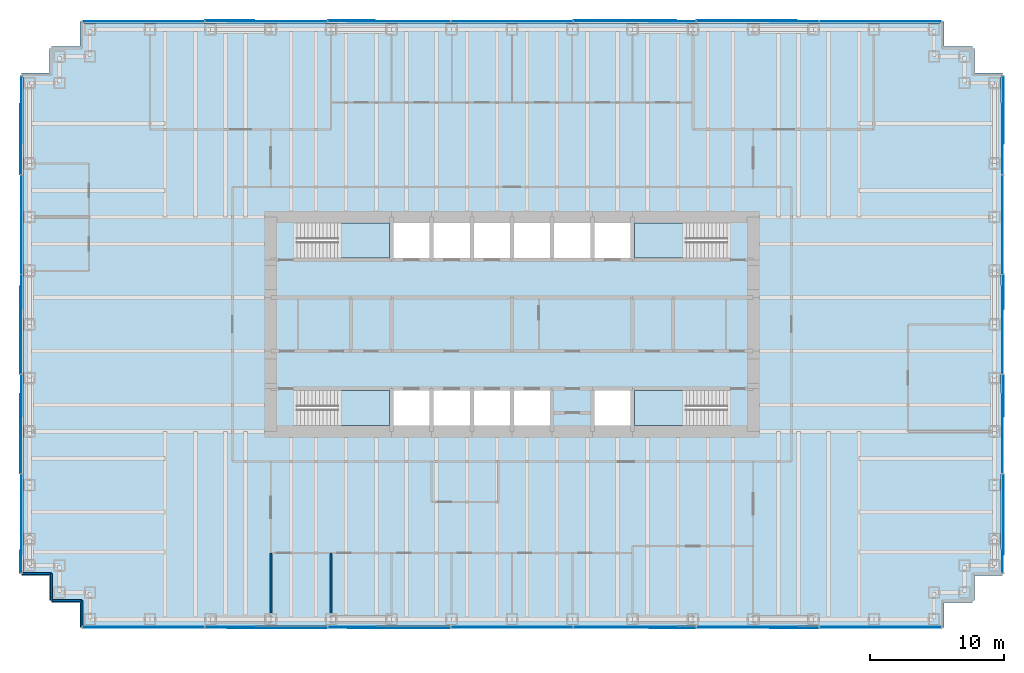
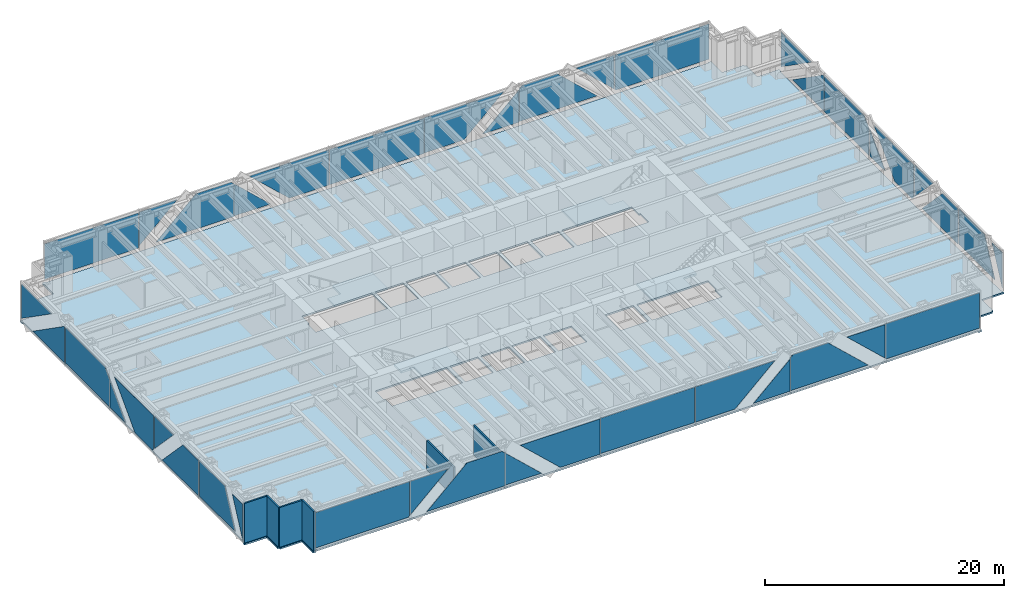
# One storey, part 10 of 15: 40 plates, 6 walls, 5 slabs, 8 elements without a shape of their own.
"""IFC4 building model written with IfcOpenShell, lengths in metres."""

from ifc_helpers import new_model, si_unit, direction, frame, frame_2d, origin, origin_2d, place, context, subcontext, project, spatial, polyline, rectangle, outline, extrude, material, layer, layer_set, type_object, element, aggregate, save


model = new_model("IFC4")

# Units and contexts
model_context = context("Model", 3, precision=1e-05, world=origin(), true_north=direction((0.0, 1.0)))
body_context = subcontext(model_context, "Body", "Model", "MODEL_VIEW")
ifc_project = project(units=[si_unit("LENGTHUNIT", "METRE"), si_unit("AREAUNIT", "SQUARE_METRE"), si_unit("VOLUMEUNIT", "CUBIC_METRE"), si_unit("PLANEANGLEUNIT", "RADIAN"), si_unit("MASSUNIT", "GRAM", prefix="KILO")], contexts=[model_context])

# Site, building, storey
site_placement = place(None, origin())
site = spatial("IfcSite", under=ifc_project, at=site_placement, CompositionType="ELEMENT")
building_placement = place(site_placement, origin())
building = spatial("IfcBuilding", under=site, at=building_placement, Name="Rheinbord Bourse Tower", CompositionType="ELEMENT")
storey_placement = place(building_placement, frame((0.0, 0.0, 104.699951171875)))
storey = spatial("IfcBuildingStorey", under=building, at=storey_placement, Name="L22", CompositionType="ELEMENT", Elevation=104.699951171875)

# Slab
ifc_material_1 = material(Name="Concrete C30/37", Category="concrete")
ifc_layer_1 = layer(ifc_material_1, 0.159912109375)
ifc_layer_set_1 = layer_set([ifc_layer_1], Name="COMPOSITE FLOOR SLAB 160")
slab_type_1 = type_object("IfcSlabType", Name="COMPOSITE FLOOR SLAB 160", PredefinedType="FLOOR", material=ifc_layer_set_1)
slab_1_placement = place(storey_placement, frame((0.0, 0.0, -0.159912109375)))
element("IfcSlab", 1, at=slab_1_placement, inside=storey, type_object=slab_type_1, Name="Floor slab L22", PredefinedType="FLOOR", context=body_context, shape_type="SweptSolid", body=[
    extrude(outline(polyline([(1.64990234375, 3.39990234375), (1.5, 3.39990234375), (1.5, 5.25), (-0.60009765625, 5.25), (-0.60009765625, 5.550048828125), (-0.5, 5.550048828125), (-0.5, 42.449951171875), (-0.60009765625, 42.449951171875), (-0.60009765625, 42.75), (1.5, 42.75), (1.5, 44.60009765625), (1.64990234375, 44.60009765625), (1.64990234375, 44.75), (3.75, 44.75), (3.75, 46.60009765625), (4.050048828125, 46.60009765625), (4.050048828125, 46.5), (67.949951171875, 46.5), (67.949951171875, 46.60009765625), (68.25, 46.60009765625), (68.25, 44.75), (70.35009765625, 44.75), (70.35009765625, 44.60009765625), (70.5, 44.60009765625), (70.5, 42.75), (72.60009765625, 42.75), (72.60009765625, 42.449951171875), (72.5, 42.449951171875), (72.5, 5.550048828125), (72.60009765625, 5.550048828125), (72.60009765625, 5.25), (70.5, 5.25), (70.5, 3.39990234375), (70.35009765625, 3.39990234375), (70.35009765625, 3.25), (68.25, 3.25), (68.25, 1.39990234375), (67.949951171875, 1.39990234375), (67.949951171875, 1.5), (4.050048828125, 1.5), (4.050048828125, 1.39990234375), (3.75, 1.39990234375), (3.75, 3.25), (1.64990234375, 3.25), (1.64990234375, 3.39990234375)]), holes=[polyline([(19.949951171875, 19.050048828125), (26.85009765625, 19.050048828125), (26.85009765625, 16.449951171875), (20.10009765625, 16.449951171875), (20.10009765625, 17.64990234375), (19.949951171875, 17.64990234375), (19.949951171875, 19.050048828125)]), polyline([(26.85009765625, 31.550048828125), (26.85009765625, 28.949951171875), (19.949951171875, 28.949951171875), (19.949951171875, 30.35009765625), (20.10009765625, 30.35009765625), (20.10009765625, 31.550048828125), (26.85009765625, 31.550048828125)]), polyline([(45.14990234375, 16.449951171875), (45.14990234375, 19.050048828125), (52.050048828125, 19.050048828125), (52.050048828125, 17.64990234375), (51.89990234375, 17.64990234375), (51.89990234375, 16.449951171875), (45.14990234375, 16.449951171875)]), polyline([(52.050048828125, 28.949951171875), (45.14990234375, 28.949951171875), (45.14990234375, 31.550048828125), (51.89990234375, 31.550048828125), (51.89990234375, 30.35009765625), (52.050048828125, 30.35009765625), (52.050048828125, 28.949951171875)]), polyline([(27.14990234375, 16.449951171875), (27.14990234375, 19.050048828125), (29.85009765625, 19.050048828125), (29.85009765625, 16.449951171875), (27.14990234375, 16.449951171875)]), polyline([(27.14990234375, 28.949951171875), (27.14990234375, 31.550048828125), (29.85009765625, 31.550048828125), (29.85009765625, 28.949951171875), (27.14990234375, 28.949951171875)]), polyline([(30.14990234375, 16.449951171875), (30.14990234375, 19.050048828125), (32.85009765625, 19.050048828125), (32.85009765625, 16.449951171875), (30.14990234375, 16.449951171875)]), polyline([(30.14990234375, 28.949951171875), (30.14990234375, 31.550048828125), (32.85009765625, 31.550048828125), (32.85009765625, 28.949951171875), (30.14990234375, 28.949951171875)]), polyline([(33.14990234375, 16.449951171875), (33.14990234375, 19.050048828125), (35.85009765625, 19.050048828125), (35.85009765625, 16.449951171875), (33.14990234375, 16.449951171875)]), polyline([(33.14990234375, 28.949951171875), (33.14990234375, 31.550048828125), (35.85009765625, 31.550048828125), (35.85009765625, 28.949951171875), (33.14990234375, 28.949951171875)]), polyline([(36.14990234375, 16.449951171875), (36.14990234375, 19.050048828125), (38.85009765625, 19.050048828125), (38.85009765625, 16.449951171875), (36.14990234375, 16.449951171875)]), polyline([(36.14990234375, 28.949951171875), (36.14990234375, 31.550048828125), (38.85009765625, 31.550048828125), (38.85009765625, 28.949951171875), (36.14990234375, 28.949951171875)]), polyline([(39.14990234375, 28.949951171875), (39.14990234375, 31.550048828125), (41.85009765625, 31.550048828125), (41.85009765625, 28.949951171875), (39.14990234375, 28.949951171875)]), polyline([(42.14990234375, 16.449951171875), (42.14990234375, 19.050048828125), (44.85009765625, 19.050048828125), (44.85009765625, 16.449951171875), (42.14990234375, 16.449951171875)]), polyline([(42.14990234375, 28.949951171875), (42.14990234375, 31.550048828125), (44.85009765625, 31.550048828125), (44.85009765625, 28.949951171875), (42.14990234375, 28.949951171875)])]), origin(), (0.0, 0.0, 1.0), 0.159912109375),
])

# Curtain wall, plates
ifc_material_2 = material(Name="Dark glass and black aluminium", Category="aluminium")
curtain_wall_type = type_object("IfcCurtainWallType", Name="CW2 DARK GLASS CURTAIN WALL", PredefinedType="USERDEFINED", material=ifc_material_2)
curtain_wall_1_placement = place(storey_placement, origin())
curtain_wall_1 = element("IfcCurtainWall", 2, at=curtain_wall_1_placement, inside=storey, type_object=curtain_wall_type, Name="Curtain wall CW2 S L22", ObjectType="UNITISED CURTAIN WALL", PredefinedType="USERDEFINED")
ifc_material_3 = material(Name="Dark tinted triple insulating glass", Category="glass")
ifc_layer_2 = layer(ifc_material_3, 0.050048828125)
ifc_layer_set_2 = layer_set([ifc_layer_2], Name="CW2 DARK GLASS PANEL")
plate_type = type_object("IfcPlateType", Name="CW2 DARK GLASS PANEL", PredefinedType="CURTAIN_PANEL", material=ifc_layer_set_2)
plate_1_placement = place(storey_placement, frame((36.0, 1.39990234375, 0.300048828125), z_axis=(0.0, 0.0, 1.0), x_axis=(1.0, 0.0, 0.0)))
plate_1 = element("IfcPlate", 3, at=plate_1_placement, type_object=plate_type, Name="CW2 panel 4.1", PredefinedType="CURTAIN_PANEL", context=body_context, shape_type="SweptSolid", body=[
    extrude(rectangle(XDim=9.101318359375, YDim=0.050048828125, at=origin_2d()), origin(), (0.0, 0.0, 1.0), 3.60009765625),
])
plate_2_placement = place(storey_placement, frame((3.969970703125, 1.375, 0.300048828125), z_axis=(0.0, 1.0, 0.0), x_axis=(0.0, 0.0, 1.0)))
plate_2 = element("IfcPlate", 4, at=plate_2_placement, type_object=plate_type, Name="CW2 glass facet 1", PredefinedType="CURTAIN_PANEL", context=body_context, shape_type="SweptSolid", body=[
    extrude(outline(polyline([(0.0, 0.0), (3.60009765625, 0.0), (3.60009765625, 9.06591796875), (0.094970703125, 9.06591796875), (0.0, 8.965087890625), (0.0, 0.0)])), origin(), (0.0, 0.0, 1.0), 0.050048828125),
])
plate_3_placement = place(storey_placement, frame((13.10595703125, 1.375, 3.900146484375), z_axis=(0.0, 1.0, 0.0), x_axis=(1.0, 0.0, 0.0)))
plate_3 = element("IfcPlate", 5, at=plate_3_placement, type_object=plate_type, Name="CW2 glass facet 1", PredefinedType="CURTAIN_PANEL", context=body_context, shape_type="SweptSolid", body=[
    extrude(outline(polyline([(0.0, 0.0), (3.68603515625, 0.0), (0.0, 3.440185546875), (0.0, 0.0)])), origin(), (0.0, 0.0, 1.0), 0.050048828125),
])
plate_4_placement = place(storey_placement, frame((22.2080078125, 1.31982421875, 0.300048828125), z_axis=(0.0, 1.0, 0.0), x_axis=(-1.0, 0.0, 0.0)))
plate_4 = element("IfcPlate", 6, at=plate_4_placement, type_object=plate_type, Name="CW2 glass facet 2", PredefinedType="CURTAIN_PANEL", context=body_context, shape_type="SweptSolid", body=[
    extrude(outline(polyline([(0.0, 0.0), (7.5, 0.0), (3.64306640625, 3.60009765625), (0.27294921875, 3.60009765625), (0.0, 3.344970703125), (0.0, 0.0)])), origin(), (0.0, 0.0, 1.0), 0.050048828125),
])
plate_5_placement = place(storey_placement, frame((22.278076171875, 1.375, 0.300048828125), z_axis=(0.0, 1.0, 0.0), x_axis=(0.0, 0.0, 1.0)))
plate_5 = element("IfcPlate", 7, at=plate_5_placement, type_object=plate_type, Name="CW2 glass facet 1", PredefinedType="CURTAIN_PANEL", context=body_context, shape_type="SweptSolid", body=[
    extrude(outline(polyline([(0.0, 0.0), (3.280029296875, 0.0), (0.0, 3.513916015625), (0.0, 0.0)])), origin(), (0.0, 0.0, 1.0), 0.050048828125),
])
plate_6_placement = place(storey_placement, frame((31.37890625, 1.31982421875, 3.900146484375), z_axis=(0.0, 1.0, 0.0), x_axis=(0.0, 0.0, -1.0)))
plate_6 = element("IfcPlate", 8, at=plate_6_placement, type_object=plate_type, Name="CW2 glass facet 2", PredefinedType="CURTAIN_PANEL", context=body_context, shape_type="SweptSolid", body=[
    extrude(outline(polyline([(0.0, 0.0), (3.60009765625, 0.0), (3.60009765625, 3.81396484375), (0.0, 7.6708984375), (0.0, 0.0)])), origin(), (0.0, 0.0, 1.0), 0.050048828125),
])
plate_7_placement = place(storey_placement, frame((40.62109375, 1.375, 0.300048828125), z_axis=(0.0, 1.0, 0.0), x_axis=(0.0, 0.0, 1.0)))
plate_7 = element("IfcPlate", 9, at=plate_7_placement, type_object=plate_type, Name="CW2 glass facet 1", PredefinedType="CURTAIN_PANEL", context=body_context, shape_type="SweptSolid", body=[
    extrude(outline(polyline([(0.0, 0.0), (3.60009765625, 0.0), (3.60009765625, 7.6708984375), (0.0, 3.81396484375), (0.0, 0.0)])), origin(), (0.0, 0.0, 1.0), 0.050048828125),
])
plate_8_placement = place(storey_placement, frame((49.721923828125, 1.31982421875, 0.300048828125), z_axis=(0.0, 1.0, 0.0), x_axis=(-1.0, 0.0, 0.0)))
plate_8 = element("IfcPlate", 10, at=plate_8_placement, type_object=plate_type, Name="CW2 glass facet 2", PredefinedType="CURTAIN_PANEL", context=body_context, shape_type="SweptSolid", body=[
    extrude(outline(polyline([(0.0, 0.0), (3.513916015625, 0.0), (0.0, 3.280029296875), (0.0, 0.0)])), origin(), (0.0, 0.0, 1.0), 0.050048828125),
])
plate_9_placement = place(storey_placement, frame((49.7919921875, 1.375, 0.300048828125), z_axis=(0.0, 1.0, 0.0), x_axis=(0.0, 0.0, 1.0)))
plate_9 = element("IfcPlate", 11, at=plate_9_placement, type_object=plate_type, Name="CW2 glass facet 1", PredefinedType="CURTAIN_PANEL", context=body_context, shape_type="SweptSolid", body=[
    extrude(outline(polyline([(0.0, 0.0), (3.344970703125, 0.0), (3.60009765625, 0.27294921875), (3.60009765625, 3.64306640625), (0.0, 7.5), (0.0, 0.0)])), origin(), (0.0, 0.0, 1.0), 0.050048828125),
])
plate_10_placement = place(storey_placement, frame((58.89404296875, 1.31982421875, 3.900146484375), z_axis=(0.0, 1.0, 0.0), x_axis=(0.0, 0.0, -1.0)))
plate_10 = element("IfcPlate", 12, at=plate_10_placement, type_object=plate_type, Name="CW2 glass facet 2", PredefinedType="CURTAIN_PANEL", context=body_context, shape_type="SweptSolid", body=[
    extrude(outline(polyline([(0.0, 0.0), (3.440185546875, 0.0), (0.0, 3.68603515625), (0.0, 0.0)])), origin(), (0.0, 0.0, 1.0), 0.050048828125),
])
plate_11_placement = place(storey_placement, frame((58.964111328125, 1.375, 3.900146484375), z_axis=(0.0, 1.0, 0.0), x_axis=(1.0, 0.0, 0.0)))
plate_11 = element("IfcPlate", 13, at=plate_11_placement, type_object=plate_type, Name="CW2 glass facet 1", PredefinedType="CURTAIN_PANEL", context=body_context, shape_type="SweptSolid", body=[
    extrude(outline(polyline([(0.0, 0.0), (9.06591796875, 0.0), (9.06591796875, 3.60009765625), (0.100830078125, 3.60009765625), (0.0, 3.505126953125), (0.0, 0.0)])), origin(), (0.0, 0.0, 1.0), 0.050048828125),
])
aggregate(curtain_wall_1, [plate_1, plate_2, plate_3, plate_4, plate_5, plate_6, plate_7, plate_8, plate_9, plate_10, plate_11])

curtain_wall_2_placement = place(storey_placement, origin())
curtain_wall_2 = element("IfcCurtainWall", 14, at=curtain_wall_2_placement, inside=storey, type_object=curtain_wall_type, Name="Curtain wall CW2 E L22", ObjectType="UNITISED CURTAIN WALL", PredefinedType="USERDEFINED")
plate_12_placement = place(storey_placement, frame((72.625, 5.469970703125, 0.300048828125), z_axis=(-1.0, 0.0, 0.0), x_axis=(0.0, 0.0, 1.0)))
plate_12 = element("IfcPlate", 15, at=plate_12_placement, type_object=plate_type, Name="CW2 glass facet 1", PredefinedType="CURTAIN_PANEL", context=body_context, shape_type="SweptSolid", body=[
    extrude(outline(polyline([(0.0, 0.0), (3.60009765625, 0.0), (3.60009765625, 1.717041015625), (0.0, 0.0029296875), (0.0, 0.0)])), origin(), (0.0, 0.0, 1.0), 0.050048828125),
])
plate_13_placement = place(storey_placement, frame((72.68017578125, 12.804931640625, 3.900146484375), z_axis=(-1.0, 0.0, 0.0), x_axis=(0.0, 0.0, -1.0)))
plate_13 = element("IfcPlate", 16, at=plate_13_placement, type_object=plate_type, Name="CW2 glass facet 2", PredefinedType="CURTAIN_PANEL", context=body_context, shape_type="SweptSolid", body=[
    extrude(outline(polyline([(0.0, 0.0), (3.60009765625, 0.0), (3.60009765625, 5.991943359375), (0.0, 4.27783203125), (0.0, 0.0)])), origin(), (0.0, 0.0, 1.0), 0.050048828125),
])
plate_14_placement = place(storey_placement, frame((72.625, 12.875, 0.300048828125), z_axis=(-1.0, 0.0, 0.0), x_axis=(0.0, 0.0, 1.0)))
plate_14 = element("IfcPlate", 17, at=plate_14_placement, type_object=plate_type, Name="CW2 glass facet 1", PredefinedType="CURTAIN_PANEL", context=body_context, shape_type="SweptSolid", body=[
    extrude(outline(polyline([(0.0, 0.0), (3.60009765625, 0.0), (3.60009765625, 2.574951171875), (0.0, 6.00390625), (0.0, 0.0)])), origin(), (0.0, 0.0, 1.0), 0.050048828125),
])
plate_15_placement = place(storey_placement, frame((72.68017578125, 20.2451171875, 3.900146484375), z_axis=(-1.0, 0.0, 0.0), x_axis=(0.0, 0.0, -1.0)))
plate_15 = element("IfcPlate", 18, at=plate_15_placement, type_object=plate_type, Name="CW2 glass facet 2", PredefinedType="CURTAIN_PANEL", context=body_context, shape_type="SweptSolid", body=[
    extrude(outline(polyline([(0.0, 0.0), (3.280029296875, 0.0), (0.0, 3.1240234375), (0.0, 0.0)])), origin(), (0.0, 0.0, 1.0), 0.050048828125),
])
plate_16_placement = place(storey_placement, frame((72.625, 20.550048828125, 0.300048828125), z_axis=(-1.0, 0.0, 0.0), x_axis=(0.0, -0.690782776575, 0.723062345574)))
plate_16 = element("IfcPlate", 19, at=plate_16_placement, type_object=plate_type, Name="CW2 glass facet 1", PredefinedType="CURTAIN_PANEL", context=body_context, shape_type="SweptSolid", body=[
    extrude(outline(polyline([(0.0, 0.0), (0.34033203125, 0.0), (2.765625, 2.31689453125), (-1.768798828125, 7.06298828125), (-2.003173828125, 2.096923828125), (0.0, 0.0)])), origin(), (0.0, 0.0, 1.0), 0.050048828125),
])
plate_17_placement = place(storey_placement, frame((72.68017578125, 27.68505859375, 0.300048828125), z_axis=(-1.0, 0.0, 0.0), x_axis=(0.0, -1.0, 0.0)))
plate_17 = element("IfcPlate", 20, at=plate_17_placement, type_object=plate_type, Name="CW2 glass facet 2", PredefinedType="CURTAIN_PANEL", context=body_context, shape_type="SweptSolid", body=[
    extrude(outline(polyline([(0.0, 0.0), (2.56396484375, 0.0), (0.0, 2.69189453125), (0.0, 0.0)])), origin(), (0.0, 0.0, 1.0), 0.050048828125),
])
plate_18_placement = place(storey_placement, frame((72.625, 35.125, 3.900146484375), z_axis=(-1.0, 0.0, 0.0), x_axis=(0.0, 0.0, -1.0)))
plate_18 = element("IfcPlate", 21, at=plate_18_placement, type_object=plate_type, Name="CW2 glass facet 1", PredefinedType="CURTAIN_PANEL", context=body_context, shape_type="SweptSolid", body=[
    extrude(outline(polyline([(0.0, 0.0), (3.60009765625, 0.0), (3.60009765625, 7.3701171875), (0.833984375, 7.3701171875), (0.0, 6.574951171875), (0.0, 0.0)])), origin(), (0.0, 0.0, 1.0), 0.050048828125),
])
plate_19_placement = place(storey_placement, frame((72.625, 35.195068359375, 0.300048828125), z_axis=(-1.0, 0.0, 0.0), x_axis=(0.0, 0.0, 1.0)))
plate_19 = element("IfcPlate", 22, at=plate_19_placement, type_object=plate_type, Name="CW2 glass facet 1", PredefinedType="CURTAIN_PANEL", context=body_context, shape_type="SweptSolid", body=[
    extrude(outline(polyline([(0.0, 0.0), (3.60009765625, 0.0), (3.60009765625, 0.178955078125), (0.0, 5.321044921875), (0.0, 0.0)])), origin(), (0.0, 0.0, 1.0), 0.050048828125),
])
plate_20_placement = place(storey_placement, frame((72.68017578125, 42.530029296875, 3.900146484375), z_axis=(-1.0, 0.0, 0.0), x_axis=(0.0, 0.0, -1.0)))
plate_20 = element("IfcPlate", 23, at=plate_20_placement, type_object=plate_type, Name="CW2 glass facet 2", PredefinedType="CURTAIN_PANEL", context=body_context, shape_type="SweptSolid", body=[
    extrude(outline(polyline([(0.0, 0.0), (3.533203125, 0.0), (0.0, 5.046142578125), (0.0, 0.0)])), origin(), (0.0, 0.0, 1.0), 0.050048828125),
])
aggregate(curtain_wall_2, [plate_12, plate_13, plate_14, plate_15, plate_16, plate_17, plate_18, plate_19, plate_20])

curtain_wall_3_placement = place(storey_placement, origin())
curtain_wall_3 = element("IfcCurtainWall", 24, at=curtain_wall_3_placement, inside=storey, type_object=curtain_wall_type, Name="Curtain wall CW2 N L22", ObjectType="UNITISED CURTAIN WALL", PredefinedType="USERDEFINED")
plate_21_placement = place(storey_placement, frame((36.0, 46.60009765625, 0.300048828125), z_axis=(0.0, 0.0, 1.0), x_axis=(-1.0, 0.0, 0.0)))
plate_21 = element("IfcPlate", 25, at=plate_21_placement, type_object=plate_type, Name="CW2 panel 4.1", PredefinedType="CURTAIN_PANEL", context=body_context, shape_type="SweptSolid", body=[
    extrude(rectangle(XDim=9.101318359375, YDim=0.050048828125, at=origin_2d()), origin(), (0.0, 0.0, 1.0), 3.60009765625),
])
plate_22_placement = place(storey_placement, frame((68.030029296875, 46.625, 0.300048828125), z_axis=(0.0, -1.0, 0.0), x_axis=(0.0, 0.0, 1.0)))
plate_22 = element("IfcPlate", 26, at=plate_22_placement, type_object=plate_type, Name="CW2 glass facet 1", PredefinedType="CURTAIN_PANEL", context=body_context, shape_type="SweptSolid", body=[
    extrude(outline(polyline([(0.0, 0.0), (3.60009765625, 0.0), (3.60009765625, 9.06591796875), (0.094970703125, 9.06591796875), (0.0, 8.965087890625), (0.0, 0.0)])), origin(), (0.0, 0.0, 1.0), 0.050048828125),
])
plate_23_placement = place(storey_placement, frame((58.89404296875, 46.625, 3.900146484375), z_axis=(0.0, -1.0, 0.0), x_axis=(-1.0, 0.0, 0.0)))
plate_23 = element("IfcPlate", 27, at=plate_23_placement, type_object=plate_type, Name="CW2 glass facet 1", PredefinedType="CURTAIN_PANEL", context=body_context, shape_type="SweptSolid", body=[
    extrude(outline(polyline([(0.0, 0.0), (3.68603515625, 0.0), (0.0, 3.440185546875), (0.0, 0.0)])), origin(), (0.0, 0.0, 1.0), 0.050048828125),
])
plate_24_placement = place(storey_placement, frame((49.7919921875, 46.68017578125, 0.300048828125), z_axis=(0.0, -1.0, 0.0), x_axis=(1.0, 0.0, 0.0)))
plate_24 = element("IfcPlate", 28, at=plate_24_placement, type_object=plate_type, Name="CW2 glass facet 2", PredefinedType="CURTAIN_PANEL", context=body_context, shape_type="SweptSolid", body=[
    extrude(outline(polyline([(0.0, 0.0), (7.5, 0.0), (3.64306640625, 3.60009765625), (0.27294921875, 3.60009765625), (0.0, 3.344970703125), (0.0, 0.0)])), origin(), (0.0, 0.0, 1.0), 0.050048828125),
])
plate_25_placement = place(storey_placement, frame((49.721923828125, 46.625, 0.300048828125), z_axis=(0.0, -1.0, 0.0), x_axis=(0.0, 0.0, 1.0)))
plate_25 = element("IfcPlate", 29, at=plate_25_placement, type_object=plate_type, Name="CW2 glass facet 1", PredefinedType="CURTAIN_PANEL", context=body_context, shape_type="SweptSolid", body=[
    extrude(outline(polyline([(0.0, 0.0), (3.280029296875, 0.0), (0.0, 3.513916015625), (0.0, 0.0)])), origin(), (0.0, 0.0, 1.0), 0.050048828125),
])
plate_26_placement = place(storey_placement, frame((40.62109375, 46.68017578125, 3.900146484375), z_axis=(0.0, -1.0, 0.0), x_axis=(0.0, 0.0, -1.0)))
plate_26 = element("IfcPlate", 30, at=plate_26_placement, type_object=plate_type, Name="CW2 glass facet 2", PredefinedType="CURTAIN_PANEL", context=body_context, shape_type="SweptSolid", body=[
    extrude(outline(polyline([(0.0, 0.0), (3.60009765625, 0.0), (3.60009765625, 3.81396484375), (0.0, 7.6708984375), (0.0, 0.0)])), origin(), (0.0, 0.0, 1.0), 0.050048828125),
])
plate_27_placement = place(storey_placement, frame((31.37890625, 46.625, 0.300048828125), z_axis=(0.0, -1.0, 0.0), x_axis=(0.0, 0.0, 1.0)))
plate_27 = element("IfcPlate", 31, at=plate_27_placement, type_object=plate_type, Name="CW2 glass facet 1", PredefinedType="CURTAIN_PANEL", context=body_context, shape_type="SweptSolid", body=[
    extrude(outline(polyline([(0.0, 0.0), (3.60009765625, 0.0), (3.60009765625, 7.6708984375), (0.0, 3.81396484375), (0.0, 0.0)])), origin(), (0.0, 0.0, 1.0), 0.050048828125),
])
plate_28_placement = place(storey_placement, frame((22.278076171875, 46.68017578125, 0.300048828125), z_axis=(0.0, -1.0, 0.0), x_axis=(1.0, 0.0, 0.0)))
plate_28 = element("IfcPlate", 32, at=plate_28_placement, type_object=plate_type, Name="CW2 glass facet 2", PredefinedType="CURTAIN_PANEL", context=body_context, shape_type="SweptSolid", body=[
    extrude(outline(polyline([(0.0, 0.0), (3.513916015625, 0.0), (0.0, 3.280029296875), (0.0, 0.0)])), origin(), (0.0, 0.0, 1.0), 0.050048828125),
])
plate_29_placement = place(storey_placement, frame((22.2080078125, 46.625, 0.300048828125), z_axis=(0.0, -1.0, 0.0), x_axis=(0.0, 0.0, 1.0)))
plate_29 = element("IfcPlate", 33, at=plate_29_placement, type_object=plate_type, Name="CW2 glass facet 1", PredefinedType="CURTAIN_PANEL", context=body_context, shape_type="SweptSolid", body=[
    extrude(outline(polyline([(0.0, 0.0), (3.344970703125, 0.0), (3.60009765625, 0.27294921875), (3.60009765625, 3.64306640625), (0.0, 7.5), (0.0, 0.0)])), origin(), (0.0, 0.0, 1.0), 0.050048828125),
])
plate_30_placement = place(storey_placement, frame((13.10595703125, 46.68017578125, 3.900146484375), z_axis=(0.0, -1.0, 0.0), x_axis=(0.0, 0.0, -1.0)))
plate_30 = element("IfcPlate", 34, at=plate_30_placement, type_object=plate_type, Name="CW2 glass facet 2", PredefinedType="CURTAIN_PANEL", context=body_context, shape_type="SweptSolid", body=[
    extrude(outline(polyline([(0.0, 0.0), (3.440185546875, 0.0), (0.0, 3.68603515625), (0.0, 0.0)])), origin(), (0.0, 0.0, 1.0), 0.050048828125),
])
plate_31_placement = place(storey_placement, frame((13.035888671875, 46.625, 3.900146484375), z_axis=(0.0, -1.0, 0.0), x_axis=(-1.0, 0.0, 0.0)))
plate_31 = element("IfcPlate", 35, at=plate_31_placement, type_object=plate_type, Name="CW2 glass facet 1", PredefinedType="CURTAIN_PANEL", context=body_context, shape_type="SweptSolid", body=[
    extrude(outline(polyline([(0.0, 0.0), (9.06591796875, 0.0), (9.06591796875, 3.60009765625), (0.100830078125, 3.60009765625), (0.0, 3.505126953125), (0.0, 0.0)])), origin(), (0.0, 0.0, 1.0), 0.050048828125),
])
aggregate(curtain_wall_3, [plate_21, plate_22, plate_23, plate_24, plate_25, plate_26, plate_27, plate_28, plate_29, plate_30, plate_31])

curtain_wall_4_placement = place(storey_placement, origin())
curtain_wall_4 = element("IfcCurtainWall", 36, at=curtain_wall_4_placement, inside=storey, type_object=curtain_wall_type, Name="Curtain wall CW2 W L22", ObjectType="UNITISED CURTAIN WALL", PredefinedType="USERDEFINED")
plate_32_placement = place(storey_placement, frame((-0.625, 42.530029296875, 3.900146484375), z_axis=(1.0, 0.0, 0.0), x_axis=(0.0, -1.0, 0.0)))
plate_32 = element("IfcPlate", 37, at=plate_32_placement, type_object=plate_type, Name="CW2 glass facet 1", PredefinedType="CURTAIN_PANEL", context=body_context, shape_type="SweptSolid", body=[
    extrude(outline(polyline([(0.0, 0.0), (5.046142578125, 0.0), (0.0, 3.533203125), (0.0, 0.0)])), origin(), (0.0, 0.0, 1.0), 0.050048828125),
])
plate_33_placement = place(storey_placement, frame((-0.68017578125, 35.195068359375, 3.900146484375), z_axis=(1.0, 0.0, 0.0), x_axis=(0.0, 0.0, -1.0)))
plate_33 = element("IfcPlate", 38, at=plate_33_placement, type_object=plate_type, Name="CW2 glass facet 2", PredefinedType="CURTAIN_PANEL", context=body_context, shape_type="SweptSolid", body=[
    extrude(outline(polyline([(0.0, 0.0), (3.60009765625, 0.0), (3.60009765625, 5.321044921875), (0.0, 0.178955078125), (0.0, 0.0)])), origin(), (0.0, 0.0, 1.0), 0.050048828125),
])
plate_34_placement = place(storey_placement, frame((-0.625, 27.7548828125, 0.300048828125), z_axis=(1.0, 0.0, 0.0), x_axis=(0.0, 1.0, 0.0)))
plate_34 = element("IfcPlate", 39, at=plate_34_placement, type_object=plate_type, Name="CW2 glass facet 1", PredefinedType="CURTAIN_PANEL", context=body_context, shape_type="SweptSolid", body=[
    extrude(outline(polyline([(0.0, 0.0), (7.3701171875, 0.0), (7.3701171875, 3.60009765625), (0.795166015625, 3.60009765625), (0.0, 2.76611328125), (0.0, 0.0)])), origin(), (0.0, 0.0, 1.0), 0.050048828125),
])
plate_35_placement = place(storey_placement, frame((-0.625, 27.68505859375, 0.300048828125), z_axis=(1.0, 0.0, 0.0), x_axis=(0.0, 0.0, 1.0)))
plate_35 = element("IfcPlate", 40, at=plate_35_placement, type_object=plate_type, Name="CW2 glass facet 1", PredefinedType="CURTAIN_PANEL", context=body_context, shape_type="SweptSolid", body=[
    extrude(outline(polyline([(0.0, 0.0), (2.69189453125, 0.0), (0.0, 2.56396484375), (0.0, 0.0)])), origin(), (0.0, 0.0, 1.0), 0.050048828125),
])
plate_36_placement = place(storey_placement, frame((-0.68017578125, 23.449951171875, 0.300048828125), z_axis=(1.0, 0.0, 0.0), x_axis=(0.0, 0.689685826199, 0.724108735716)))
plate_36 = element("IfcPlate", 41, at=plate_36_placement, type_object=plate_type, Name="CW2 glass facet 2", PredefinedType="CURTAIN_PANEL", context=body_context, shape_type="SweptSolid", body=[
    extrude(outline(polyline([(0.0, 0.0), (4.9716796875, 0.0), (0.444580078125, 4.7529296875), (-1.98388671875, 2.439697265625), (-2.0, 2.099853515625), (0.0, 0.0)])), origin(), (0.0, 0.0, 1.0), 0.050048828125),
])
plate_37_placement = place(storey_placement, frame((-0.625, 20.2451171875, 3.900146484375), z_axis=(1.0, 0.0, 0.0), x_axis=(0.0, -1.0, 0.0)))
plate_37 = element("IfcPlate", 42, at=plate_37_placement, type_object=plate_type, Name="CW2 glass facet 1", PredefinedType="CURTAIN_PANEL", context=body_context, shape_type="SweptSolid", body=[
    extrude(outline(polyline([(0.0, 0.0), (3.1240234375, 0.0), (0.0, 3.280029296875), (0.0, 0.0)])), origin(), (0.0, 0.0, 1.0), 0.050048828125),
])
plate_38_placement = place(storey_placement, frame((-0.68017578125, 12.875, 3.900146484375), z_axis=(1.0, 0.0, 0.0), x_axis=(0.0, 0.0, -1.0)))
plate_38 = element("IfcPlate", 43, at=plate_38_placement, type_object=plate_type, Name="CW2 glass facet 2", PredefinedType="CURTAIN_PANEL", context=body_context, shape_type="SweptSolid", body=[
    extrude(outline(polyline([(0.0, 0.0), (3.60009765625, 0.0), (3.60009765625, 6.00390625), (0.0, 2.574951171875), (0.0, 0.0)])), origin(), (0.0, 0.0, 1.0), 0.050048828125),
])
plate_39_placement = place(storey_placement, frame((-0.625, 12.804931640625, 0.300048828125), z_axis=(1.0, 0.0, 0.0), x_axis=(0.0, 0.0, 1.0)))
plate_39 = element("IfcPlate", 44, at=plate_39_placement, type_object=plate_type, Name="CW2 glass facet 1", PredefinedType="CURTAIN_PANEL", context=body_context, shape_type="SweptSolid", body=[
    extrude(outline(polyline([(0.0, 0.0), (3.60009765625, 0.0), (3.60009765625, 4.27783203125), (0.0, 5.991943359375), (0.0, 0.0)])), origin(), (0.0, 0.0, 1.0), 0.050048828125),
])
plate_40_placement = place(storey_placement, frame((-0.68017578125, 5.469970703125, 3.900146484375), z_axis=(1.0, 0.0, 0.0), x_axis=(0.0, 0.0, -1.0)))
plate_40 = element("IfcPlate", 45, at=plate_40_placement, type_object=plate_type, Name="CW2 glass facet 2", PredefinedType="CURTAIN_PANEL", context=body_context, shape_type="SweptSolid", body=[
    extrude(outline(polyline([(0.0, 0.0), (3.60009765625, 0.0), (3.60009765625, 0.0029296875), (0.0, 1.717041015625), (0.0, 0.0)])), origin(), (0.0, 0.0, 1.0), 0.050048828125),
])
aggregate(curtain_wall_4, [plate_32, plate_33, plate_34, plate_35, plate_36, plate_37, plate_38, plate_39, plate_40])

# Stair, slab
ifc_material_4 = material(Name="Concrete C30/37", Category="concrete")
stair_type = type_object("IfcStairType", Name="CORE STAIR HALF TURN 4200", PredefinedType="HALF_TURN_STAIR", material=ifc_material_4)
stair_1_placement = place(storey_placement, origin())
stair_1 = element("IfcStair", 46, at=stair_1_placement, inside=storey, type_object=stair_type, Name="Stair ST1 L22, type CS6", PredefinedType="HALF_TURN_STAIR")
ifc_material_5 = material(Name="Concrete C30/37", Category="concrete")
ifc_layer_3 = layer(ifc_material_5, 0.199951171875)
ifc_layer_set_3 = layer_set([ifc_layer_3], Name="STAIR LANDING 200")
slab_type_2 = type_object("IfcSlabType", Name="STAIR LANDING 200", PredefinedType="LANDING", material=ifc_layer_set_3)
slab_2_placement = place(storey_placement, frame((0.0, 0.0, 1.900146484375)))
slab_2 = element("IfcSlab", 47, at=slab_2_placement, type_object=slab_type_2, Name="Half landing ST1 L22", PredefinedType="LANDING", context=body_context, shape_type="SweptSolid", body=[
    extrude(outline(polyline([(23.030029296875, 16.449951171875), (26.85009765625, 16.449951171875), (26.85009765625, 19.050048828125), (21.748046875, 19.050048828125), (21.748046875, 17.85009765625), (23.030029296875, 17.85009765625), (23.030029296875, 16.449951171875)])), origin(), (0.0, 0.0, 1.0), 0.199951171875),
])
aggregate(stair_1, [slab_2])

stair_2_placement = place(storey_placement, origin())
stair_2 = element("IfcStair", 48, at=stair_2_placement, inside=storey, type_object=stair_type, Name="Stair ST2 L22, type CS6", PredefinedType="HALF_TURN_STAIR")
slab_3_placement = place(storey_placement, frame((0.0, 0.0, 1.900146484375)))
slab_3 = element("IfcSlab", 49, at=slab_3_placement, type_object=slab_type_2, Name="Half landing ST2 L22", PredefinedType="LANDING", context=body_context, shape_type="SweptSolid", body=[
    extrude(outline(polyline([(21.748046875, 28.949951171875), (26.85009765625, 28.949951171875), (26.85009765625, 31.550048828125), (23.030029296875, 31.550048828125), (23.030029296875, 30.14990234375), (21.748046875, 30.14990234375), (21.748046875, 28.949951171875)])), origin(), (0.0, 0.0, 1.0), 0.199951171875),
])
aggregate(stair_2, [slab_3])

stair_3_placement = place(storey_placement, origin())
stair_3 = element("IfcStair", 50, at=stair_3_placement, inside=storey, type_object=stair_type, Name="Stair ST3 L22, type CS6", PredefinedType="HALF_TURN_STAIR")
slab_4_placement = place(storey_placement, frame((0.0, 0.0, 1.900146484375)))
slab_4 = element("IfcSlab", 51, at=slab_4_placement, type_object=slab_type_2, Name="Half landing ST3 L22", PredefinedType="LANDING", context=body_context, shape_type="SweptSolid", body=[
    extrude(outline(polyline([(45.14990234375, 16.449951171875), (48.969970703125, 16.449951171875), (48.969970703125, 17.85009765625), (50.251953125, 17.85009765625), (50.251953125, 19.050048828125), (45.14990234375, 19.050048828125), (45.14990234375, 16.449951171875)])), origin(), (0.0, 0.0, 1.0), 0.199951171875),
])
aggregate(stair_3, [slab_4])

stair_4_placement = place(storey_placement, origin())
stair_4 = element("IfcStair", 52, at=stair_4_placement, inside=storey, type_object=stair_type, Name="Stair ST4 L22, type CS6", PredefinedType="HALF_TURN_STAIR")
slab_5_placement = place(storey_placement, frame((0.0, 0.0, 1.900146484375)))
slab_5 = element("IfcSlab", 53, at=slab_5_placement, type_object=slab_type_2, Name="Half landing ST4 L22", PredefinedType="LANDING", context=body_context, shape_type="SweptSolid", body=[
    extrude(outline(polyline([(45.14990234375, 28.949951171875), (50.251953125, 28.949951171875), (50.251953125, 30.14990234375), (48.969970703125, 30.14990234375), (48.969970703125, 31.550048828125), (45.14990234375, 31.550048828125), (45.14990234375, 28.949951171875)])), origin(), (0.0, 0.0, 1.0), 0.199951171875),
])
aggregate(stair_4, [slab_5])

# Walls
ifc_material_6 = material(Name="Black metal rainscreen panel", Category="aluminium")
ifc_layer_4 = layer(ifc_material_6, 0.14990234375)
ifc_layer_set_4 = layer_set([ifc_layer_4], Name="CORNER PIER CLADDING 150")
wall_type_1 = type_object("IfcWallType", Name="CORNER PIER CLADDING 150", PredefinedType="ELEMENTEDWALL", material=ifc_layer_set_4)
wall_1_placement = place(storey_placement, frame((-0.60009765625, 5.39990234375, 0.0), z_axis=(0.0, 0.0, 1.0), x_axis=(1.0, 0.0, 0.0)))
element("IfcWall", 54, at=wall_1_placement, inside=storey, type_object=wall_type_1, Name="Corner pier cladding L22 17", PredefinedType="ELEMENTEDWALL", context=body_context, shape_type="SweptSolid", body=[
    extrude(rectangle(XDim=2.25, YDim=0.14990234375, at=frame_2d((1.125, 0.0))), origin(), (0.0, 0.0, 1.0), 4.0400390625),
])
wall_2_placement = place(storey_placement, frame((1.64990234375, 5.39990234375, 0.0), z_axis=(0.0, 0.0, 1.0), x_axis=(0.0, -1.0, 0.0)))
element("IfcWall", 55, at=wall_2_placement, inside=storey, type_object=wall_type_1, Name="Corner pier cladding L22 18", PredefinedType="ELEMENTEDWALL", context=body_context, shape_type="SweptSolid", body=[
    extrude(rectangle(XDim=2.0, YDim=0.14990234375, at=frame_2d((1.0, 0.0))), origin(), (0.0, 0.0, 1.0), 4.0400390625),
])
wall_3_placement = place(storey_placement, frame((1.64990234375, 3.39990234375, 0.0), z_axis=(0.0, 0.0, 1.0), x_axis=(1.0, 0.0, 0.0)))
element("IfcWall", 56, at=wall_3_placement, inside=storey, type_object=wall_type_1, Name="Corner pier cladding L22 19", PredefinedType="ELEMENTEDWALL", context=body_context, shape_type="SweptSolid", body=[
    extrude(rectangle(XDim=2.25, YDim=0.14990234375, at=frame_2d((1.125, 0.0))), origin(), (0.0, 0.0, 1.0), 4.0400390625),
])
wall_4_placement = place(storey_placement, frame((3.89990234375, 3.39990234375, 0.0), z_axis=(0.0, 0.0, 1.0), x_axis=(0.0, -1.0, 0.0)))
element("IfcWall", 57, at=wall_4_placement, inside=storey, type_object=wall_type_1, Name="Corner pier cladding L22 20", PredefinedType="ELEMENTEDWALL", context=body_context, shape_type="SweptSolid", body=[
    extrude(rectangle(XDim=2.0, YDim=0.14990234375, at=frame_2d((1.0, 0.0))), origin(), (0.0, 0.0, 1.0), 4.0400390625),
])
ifc_material_7 = material(Name="Gypsum board partition", Category="gypsum board")
ifc_layer_5 = layer(ifc_material_7, 0.14990234375)
ifc_layer_set_5 = layer_set([ifc_layer_5], Name="PARTITION 150")
wall_type_2 = type_object("IfcWallType", Name="PARTITION 150", PredefinedType="PARTITIONING", material=ifc_layer_set_5)
for number, where, z_axis, x_axis, name in (
    (58, (18.0, 2.449951171875, 0.0), (0.0, 0.0, 1.0), (0.0, 1.0, 0.0), "Partition L22-19"),
    (59, (22.5, 2.449951171875, 0.0), (0.0, 0.0, 1.0), (0.0, 1.0, 0.0), "Partition L22-22"),
):
    element("IfcWall", number, at=place(storey_placement, frame(where, z_axis=z_axis, x_axis=x_axis)), inside=storey, type_object=wall_type_2, Name=name, PredefinedType="PARTITIONING", context=body_context, shape_type="SweptSolid", body=[
        extrude(rectangle(XDim=4.5, YDim=0.14990234375, at=frame_2d((2.25, 0.0))), origin(), (0.0, 0.0, 1.0), 3.0),
    ])

save(model, "model.ifc")
